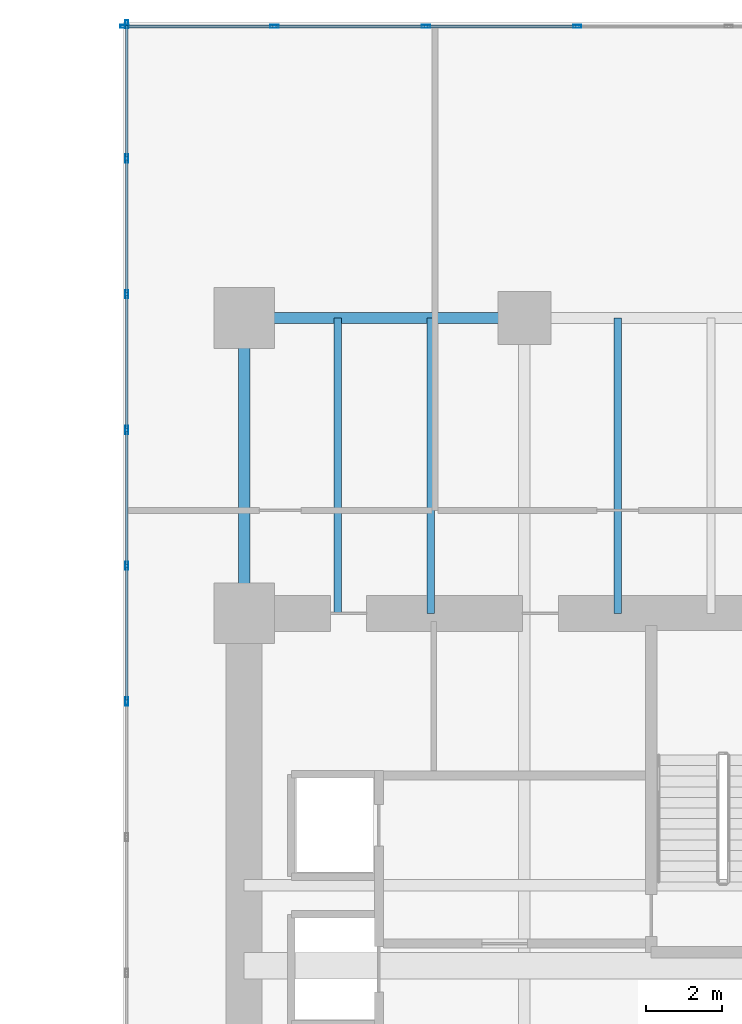
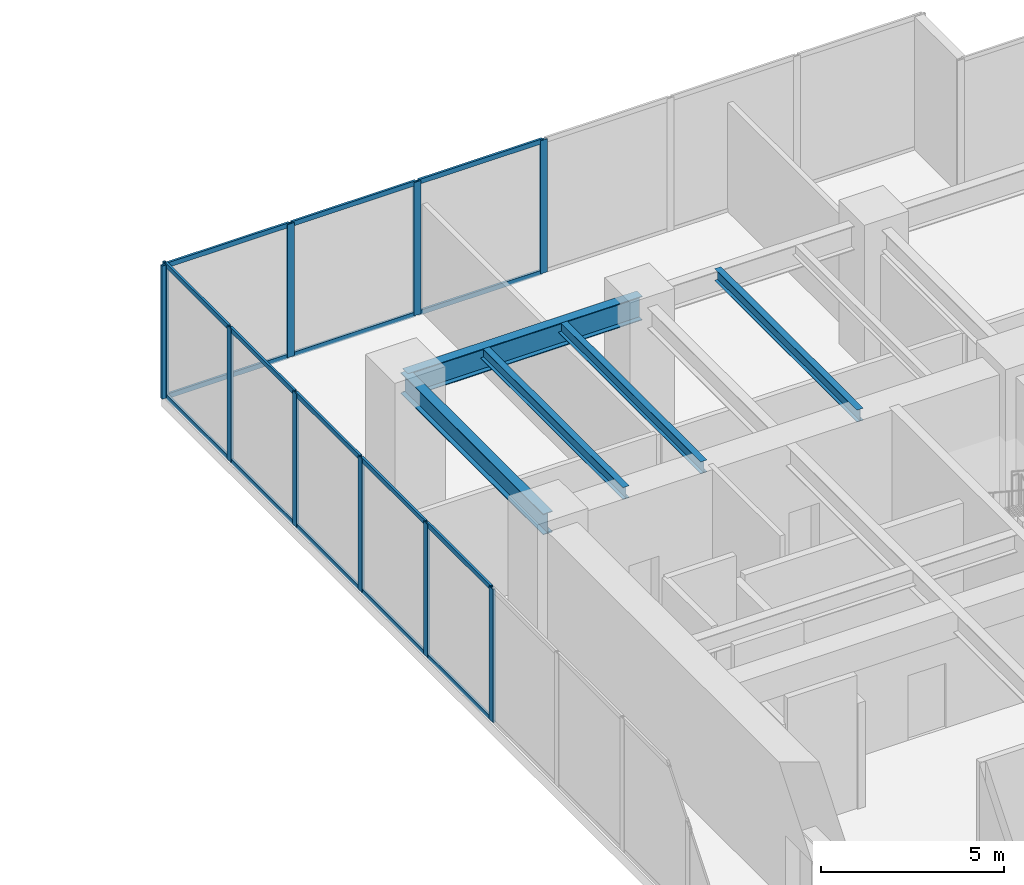
# One storey, part 17 of 32: 26 members, 5 beams, 2 elements without a shape of their own.
"""IFC4 building model written with IfcOpenShell, lengths in metres."""

from ifc_helpers import new_model, si_unit, direction, frame, origin, origin_2d, place, context, subcontext, project, spatial, hollow_rectangle, i_section, extrude, source, transform, mapped, material, layer, layer_set, material_profile, profile_set, type_object, type_shapes, element, aggregate, save


model = new_model("IFC4")

# Units and contexts
model_context = context("Model", 3, precision=1e-05, world=origin(), true_north=direction((0.0, 1.0)))
body_context = subcontext(model_context, "Body", "Model", "MODEL_VIEW")
ifc_project = project(units=[si_unit("LENGTHUNIT", "METRE"), si_unit("AREAUNIT", "SQUARE_METRE"), si_unit("VOLUMEUNIT", "CUBIC_METRE"), si_unit("PLANEANGLEUNIT", "RADIAN"), si_unit("MASSUNIT", "GRAM", prefix="KILO")], contexts=[model_context])

# Site, building, storey
site_placement = place(None, origin())
site = spatial("IfcSite", under=ifc_project, at=site_placement, CompositionType="ELEMENT")
building_placement = place(site_placement, origin())
building = spatial("IfcBuilding", under=site, at=building_placement, Name="Haelvirn Gate Laboratories", CompositionType="ELEMENT")
storey_placement = place(building_placement, frame((0.0, 0.0, 5.39990234375)))
storey = spatial("IfcBuildingStorey", under=building, at=storey_placement, Name="L02", CompositionType="ELEMENT", Elevation=5.39990234375)

# Beams
ifc_material_1 = material(Name="Steel SM420", Category="steel")
ifc_material_profile_1 = material_profile(ifc_material_1, i_section(OverallWidth=0.300048828125, OverallDepth=0.800048828125, WebThickness=0.013916015625, FlangeThickness=0.02587890625, at=origin_2d()), Name="H-800x300x14x26")
ifc_profile_set_1 = profile_set([ifc_material_profile_1], Name="Steel SM420")
beam_type_1 = type_object("IfcBeamType", Name="BM-G-800", PredefinedType="BEAM", material=ifc_profile_set_1)
shared_shape_1 = source(origin(), body_context, "Body", "SweptSolid", [
    extrude(i_section(OverallWidth=0.300048828125, OverallDepth=0.800048828125, WebThickness=0.013916015625, FlangeThickness=0.02587890625, at=origin_2d()), origin(), (0.0, 0.0, 1.0), 7.39990234375),
])
type_shapes(beam_type_1, [shared_shape_1])
beam_1_placement = place(storey_placement, frame((52.60009765625, 41.60009765625, 4.050048828125), z_axis=(1.0, 0.0, 0.0), x_axis=(0.0, 1.0, 0.0)))
element("IfcBeam", 1, at=beam_1_placement, inside=storey, type_object=beam_type_1, Name="L02 Primary Girder Y41.6 (52.6-60.0)", PredefinedType="BEAM", context=body_context, shape_type="MappedRepresentation", body=[
    mapped(shared_shape_1, transform((0.0, 0.0, 0.0), scale=1.0)),
])
ifc_material_2 = material(Name="Steel SM355", Category="steel")
ifc_material_profile_2 = material_profile(ifc_material_2, i_section(OverallWidth=0.199951171875, OverallDepth=0.39990234375, WebThickness=0.008056640625, FlangeThickness=0.012939453125, at=origin_2d()), Name="H-400x200x8x13")
ifc_profile_set_2 = profile_set([ifc_material_profile_2], Name="Steel SM355")
beam_type_2 = type_object("IfcBeamType", Name="BM-J-400", PredefinedType="JOIST", material=ifc_profile_set_2)
shared_shape_2 = source(origin(), body_context, "Body", "SweptSolid", [
    extrude(i_section(OverallWidth=0.199951171875, OverallDepth=0.39990234375, WebThickness=0.008056640625, FlangeThickness=0.012939453125, at=origin_2d()), origin(), (0.0, 0.0, 1.0), 7.800048828125),
])
type_shapes(beam_type_2, [shared_shape_2])
for number, where, z_axis, x_axis, name in (
    (2, (55.070068359375, 33.800048828125, 4.25), (0.0, 1.0, 0.0), (-1.0, 0.0, 0.0), "L02 Composite Lab Joist North X55.07"),
    (3, (57.530029296875, 33.800048828125, 4.25), (0.0, 1.0, 0.0), (-1.0, 0.0, 0.0), "L02 Composite Lab Joist North X57.53"),
    (4, (62.469970703125, 33.800048828125, 4.25), (0.0, 1.0, 0.0), (-1.0, 0.0, 0.0), "L02 Composite Lab Joist North X62.47"),
):
    element("IfcBeam", number, at=place(storey_placement, frame(where, z_axis=z_axis, x_axis=x_axis)), inside=storey, type_object=beam_type_2, Name=name, PredefinedType="JOIST", context=body_context, shape_type="MappedRepresentation", body=[
        mapped(shared_shape_2, transform((0.0, 0.0, 0.0), scale=1.0)),
    ])
ifc_material_profile_3 = material_profile(ifc_material_2, i_section(OverallWidth=0.300048828125, OverallDepth=0.699951171875, WebThickness=0.012939453125, FlangeThickness=0.02392578125, at=origin_2d()), Name="H-700x300x13x24")
ifc_profile_set_3 = profile_set([ifc_material_profile_3], Name="Steel SM355")
beam_type_3 = type_object("IfcBeamType", Name="BM-G-700", PredefinedType="BEAM", material=ifc_profile_set_3)
shared_shape_3 = source(origin(), body_context, "Body", "SweptSolid", [
    extrude(i_section(OverallWidth=0.300048828125, OverallDepth=0.699951171875, WebThickness=0.012939453125, FlangeThickness=0.02392578125, at=origin_2d()), origin(), (0.0, 0.0, 1.0), 7.800048828125),
])
type_shapes(beam_type_3, [shared_shape_3])
beam_2_placement = place(storey_placement, frame((52.60009765625, 33.800048828125, 4.10009765625), z_axis=(0.0, 1.0, 0.0), x_axis=(-1.0, 0.0, 0.0)))
element("IfcBeam", 5, at=beam_2_placement, inside=storey, type_object=beam_type_3, Name="L02 Frame Girder X52.6 (33.8-41.6)", PredefinedType="BEAM", context=body_context, shape_type="MappedRepresentation", body=[
    mapped(shared_shape_3, transform((0.0, 0.0, 0.0), scale=1.0)),
])

# Curtain wall, members
ifc_material_3 = material(Name="Anodised bronze unitised aluminium & triple low-E glass", Category="aluminium")
ifc_layer = layer(ifc_material_3, 0.18798828125, Name="CW-SYS-1")
ifc_layer_set = layer_set([ifc_layer], Name="Anodised bronze unitised aluminium & triple low-E glass")
curtain_wall_type = type_object("IfcCurtainWallType", Name="CW-SYS-1", PredefinedType="NOTDEFINED", material=ifc_layer_set)
curtain_wall_1_placement = place(storey_placement, origin())
curtain_wall_1 = element("IfcCurtainWall", 6, at=curtain_wall_1_placement, inside=storey, type_object=curtain_wall_type, Name="L02 Unitised Curtain Wall CW-L02-P1-E06-1", PredefinedType="NOTDEFINED")
ifc_material_4 = material(Name="Extruded aluminium 6063-T6 (anodised bronze)", Category="aluminium")
ifc_material_profile_4 = material_profile(ifc_material_4, hollow_rectangle(XDim=0.080078125, YDim=0.219970703125, WallThickness=0.006103515625, at=origin_2d()), Name="CWM-220x80x6")
ifc_profile_set_4 = profile_set([ifc_material_profile_4], Name="Extruded aluminium 6063-T6 (anodised bronze)")
member_type_1 = type_object("IfcMemberType", Name="CWM-T220", PredefinedType="MULLION", material=ifc_profile_set_4)
shared_shape_4 = source(origin(), body_context, "Body", "SweptSolid", [
    extrude(hollow_rectangle(XDim=0.080078125, YDim=0.219970703125, WallThickness=0.006103515625, at=origin_2d()), origin(), (0.0, 0.0, 1.0), 4.4501953125),
])
type_shapes(member_type_1, [shared_shape_4])
member_1_placement = place(storey_placement, frame((49.43994140625, 49.300048828125, 0.0), z_axis=(0.0, 0.0, 1.0), x_axis=(0.0, 1.0, 0.0)))
member_1 = element("IfcMember", 7, at=member_1_placement, type_object=member_type_1, Name="CW1 mullion 1", PredefinedType="MULLION", context=body_context, shape_type="MappedRepresentation", body=[
    mapped(shared_shape_4, transform((0.0, 0.0, 0.0), scale=1.0)),
])
member_2_placement = place(storey_placement, frame((53.39990234375, 49.300048828125, 0.0), z_axis=(0.0, 0.0, 1.0), x_axis=(0.0, 1.0, 0.0)))
member_2 = element("IfcMember", 8, at=member_2_placement, type_object=member_type_1, Name="CW1 mullion 2", PredefinedType="MULLION", context=body_context, shape_type="MappedRepresentation", body=[
    mapped(shared_shape_4, transform((0.0, 0.0, 0.0), scale=1.0)),
])
member_3_placement = place(storey_placement, frame((57.39990234375, 49.300048828125, 0.0), z_axis=(0.0, 0.0, 1.0), x_axis=(0.0, 1.0, 0.0)))
member_3 = element("IfcMember", 9, at=member_3_placement, type_object=member_type_1, Name="CW1 mullion 3", PredefinedType="MULLION", context=body_context, shape_type="MappedRepresentation", body=[
    mapped(shared_shape_4, transform((0.0, 0.0, 0.0), scale=1.0)),
])
member_4_placement = place(storey_placement, frame((61.39990234375, 49.300048828125, 0.0), z_axis=(0.0, 0.0, 1.0), x_axis=(0.0, 1.0, 0.0)))
member_4 = element("IfcMember", 10, at=member_4_placement, type_object=member_type_1, Name="CW1 mullion 4", PredefinedType="MULLION", context=body_context, shape_type="MappedRepresentation", body=[
    mapped(shared_shape_4, transform((0.0, 0.0, 0.0), scale=1.0)),
])

curtain_wall_2_placement = place(storey_placement, origin())
curtain_wall_2 = element("IfcCurtainWall", 11, at=curtain_wall_2_placement, inside=storey, type_object=curtain_wall_type, Name="L02 Unitised Curtain Wall CW-L02-P1-E07", PredefinedType="NOTDEFINED")
member_5_placement = place(storey_placement, frame((49.5, 49.360107421875, 0.0), z_axis=(0.0, 0.0, 1.0), x_axis=(1.0, 0.0, 0.0)))
member_5 = element("IfcMember", 12, at=member_5_placement, type_object=member_type_1, Name="CW1 mullion 1", PredefinedType="MULLION", context=body_context, shape_type="MappedRepresentation", body=[
    mapped(shared_shape_4, transform((0.0, 0.0, 0.0), scale=1.0)),
])
member_6_placement = place(storey_placement, frame((49.5, 45.814208984375, 0.0), z_axis=(0.0, 0.0, 1.0), x_axis=(1.0, 0.0, 0.0)))
member_6 = element("IfcMember", 13, at=member_6_placement, type_object=member_type_1, Name="CW1 mullion 2", PredefinedType="MULLION", context=body_context, shape_type="MappedRepresentation", body=[
    mapped(shared_shape_4, transform((0.0, 0.0, 0.0), scale=1.0)),
])
member_7_placement = place(storey_placement, frame((49.5, 42.228515625, 0.0), z_axis=(0.0, 0.0, 1.0), x_axis=(1.0, 0.0, 0.0)))
member_7 = element("IfcMember", 14, at=member_7_placement, type_object=member_type_1, Name="CW1 mullion 3", PredefinedType="MULLION", context=body_context, shape_type="MappedRepresentation", body=[
    mapped(shared_shape_4, transform((0.0, 0.0, 0.0), scale=1.0)),
])
member_8_placement = place(storey_placement, frame((49.5, 38.642822265625, 0.0), z_axis=(0.0, 0.0, 1.0), x_axis=(1.0, 0.0, 0.0)))
member_8 = element("IfcMember", 15, at=member_8_placement, type_object=member_type_1, Name="CW1 mullion 4", PredefinedType="MULLION", context=body_context, shape_type="MappedRepresentation", body=[
    mapped(shared_shape_4, transform((0.0, 0.0, 0.0), scale=1.0)),
])
member_9_placement = place(storey_placement, frame((49.5, 35.05712890625, 0.0), z_axis=(0.0, 0.0, 1.0), x_axis=(1.0, 0.0, 0.0)))
member_9 = element("IfcMember", 16, at=member_9_placement, type_object=member_type_1, Name="CW1 mullion 5", PredefinedType="MULLION", context=body_context, shape_type="MappedRepresentation", body=[
    mapped(shared_shape_4, transform((0.0, 0.0, 0.0), scale=1.0)),
])
member_10_placement = place(storey_placement, frame((49.5, 31.471435546875, 0.0), z_axis=(0.0, 0.0, 1.0), x_axis=(1.0, 0.0, 0.0)))
member_10 = element("IfcMember", 17, at=member_10_placement, type_object=member_type_1, Name="CW1 mullion 6", PredefinedType="MULLION", context=body_context, shape_type="MappedRepresentation", body=[
    mapped(shared_shape_4, transform((0.0, 0.0, 0.0), scale=1.0)),
])
ifc_material_profile_5 = material_profile(ifc_material_4, hollow_rectangle(XDim=0.070068359375, YDim=0.159912109375, WallThickness=0.0048828125, at=origin_2d()), Name="CWT-160x70x5")
ifc_profile_set_5 = profile_set([ifc_material_profile_5], Name="Extruded aluminium 6063-T6 (anodised bronze)")
member_type_2 = type_object("IfcMemberType", Name="CWT-T160", PredefinedType="USERDEFINED", material=ifc_profile_set_5)
shared_shape_5 = source(origin(), body_context, "Body", "SweptSolid", [
    extrude(hollow_rectangle(XDim=0.070068359375, YDim=0.159912109375, WallThickness=0.0048828125, at=origin_2d()), origin(), (0.0, 0.0, 1.0), 3.505615234375),
])
member_11_placement = place(storey_placement, frame((49.5, 45.774169921875, 0.03515625), z_axis=(0.0, -1.0, 0.0), x_axis=(1.0, 0.0, 0.0)))
member_11 = element("IfcMember", 18, at=member_11_placement, type_object=member_type_2, Name="CW1 transom 2.1", ObjectType="TRANSOM", PredefinedType="USERDEFINED", context=body_context, shape_type="MappedRepresentation", body=[
    mapped(shared_shape_5, transform((0.0, 0.0, 0.0), scale=1.0)),
])
member_12_placement = place(storey_placement, frame((49.5, 45.774169921875, 4.4150390625), z_axis=(0.0, -1.0, 0.0), x_axis=(1.0, 0.0, 0.0)))
member_12 = element("IfcMember", 19, at=member_12_placement, type_object=member_type_2, Name="CW1 transom 2.2", ObjectType="TRANSOM", PredefinedType="USERDEFINED", context=body_context, shape_type="MappedRepresentation", body=[
    mapped(shared_shape_5, transform((0.0, 0.0, 0.0), scale=1.0)),
])
member_13_placement = place(storey_placement, frame((49.5, 42.1884765625, 0.03515625), z_axis=(0.0, -1.0, 0.0), x_axis=(1.0, 0.0, 0.0)))
member_13 = element("IfcMember", 20, at=member_13_placement, type_object=member_type_2, Name="CW1 transom 3.1", ObjectType="TRANSOM", PredefinedType="USERDEFINED", context=body_context, shape_type="MappedRepresentation", body=[
    mapped(shared_shape_5, transform((0.0, 0.0, 0.0), scale=1.0)),
])
member_14_placement = place(storey_placement, frame((49.5, 42.1884765625, 4.4150390625), z_axis=(0.0, -1.0, 0.0), x_axis=(1.0, 0.0, 0.0)))
member_14 = element("IfcMember", 21, at=member_14_placement, type_object=member_type_2, Name="CW1 transom 3.2", ObjectType="TRANSOM", PredefinedType="USERDEFINED", context=body_context, shape_type="MappedRepresentation", body=[
    mapped(shared_shape_5, transform((0.0, 0.0, 0.0), scale=1.0)),
])
member_15_placement = place(storey_placement, frame((49.5, 38.602783203125, 0.03515625), z_axis=(0.0, -1.0, 0.0), x_axis=(1.0, 0.0, 0.0)))
member_15 = element("IfcMember", 22, at=member_15_placement, type_object=member_type_2, Name="CW1 transom 4.1", ObjectType="TRANSOM", PredefinedType="USERDEFINED", context=body_context, shape_type="MappedRepresentation", body=[
    mapped(shared_shape_5, transform((0.0, 0.0, 0.0), scale=1.0)),
])
member_16_placement = place(storey_placement, frame((49.5, 38.602783203125, 4.4150390625), z_axis=(0.0, -1.0, 0.0), x_axis=(1.0, 0.0, 0.0)))
member_16 = element("IfcMember", 23, at=member_16_placement, type_object=member_type_2, Name="CW1 transom 4.2", ObjectType="TRANSOM", PredefinedType="USERDEFINED", context=body_context, shape_type="MappedRepresentation", body=[
    mapped(shared_shape_5, transform((0.0, 0.0, 0.0), scale=1.0)),
])
member_17_placement = place(storey_placement, frame((49.5, 35.01708984375, 0.03515625), z_axis=(0.0, -1.0, 0.0), x_axis=(1.0, 0.0, 0.0)))
member_17 = element("IfcMember", 24, at=member_17_placement, type_object=member_type_2, Name="CW1 transom 5.1", ObjectType="TRANSOM", PredefinedType="USERDEFINED", context=body_context, shape_type="MappedRepresentation", body=[
    mapped(shared_shape_5, transform((0.0, 0.0, 0.0), scale=1.0)),
])
member_18_placement = place(storey_placement, frame((49.5, 35.01708984375, 4.4150390625), z_axis=(0.0, -1.0, 0.0), x_axis=(1.0, 0.0, 0.0)))
member_18 = element("IfcMember", 25, at=member_18_placement, type_object=member_type_2, Name="CW1 transom 5.2", ObjectType="TRANSOM", PredefinedType="USERDEFINED", context=body_context, shape_type="MappedRepresentation", body=[
    mapped(shared_shape_5, transform((0.0, 0.0, 0.0), scale=1.0)),
])
shared_shape_6 = source(origin(), body_context, "Body", "SweptSolid", [
    extrude(hollow_rectangle(XDim=0.070068359375, YDim=0.159912109375, WallThickness=0.0048828125, at=origin_2d()), origin(), (0.0, 0.0, 1.0), 3.4658203125),
])
member_19_placement = place(storey_placement, frame((49.5, 49.320068359375, 0.03515625), z_axis=(0.0, -1.0, 0.0), x_axis=(1.0, 0.0, 0.0)))
member_19 = element("IfcMember", 26, at=member_19_placement, type_object=member_type_2, Name="CW1 transom 1.1", ObjectType="TRANSOM", PredefinedType="USERDEFINED", context=body_context, shape_type="MappedRepresentation", body=[
    mapped(shared_shape_6, transform((0.0, 0.0, 0.0), scale=1.0)),
])
member_20_placement = place(storey_placement, frame((49.5, 49.320068359375, 4.4150390625), z_axis=(0.0, -1.0, 0.0), x_axis=(1.0, 0.0, 0.0)))
member_20 = element("IfcMember", 27, at=member_20_placement, type_object=member_type_2, Name="CW1 transom 1.2", ObjectType="TRANSOM", PredefinedType="USERDEFINED", context=body_context, shape_type="MappedRepresentation", body=[
    mapped(shared_shape_6, transform((0.0, 0.0, 0.0), scale=1.0)),
])
aggregate(curtain_wall_2, [member_5, member_6, member_7, member_8, member_9, member_10, member_19, member_20, member_11, member_12, member_13, member_14, member_15, member_16, member_17, member_18])

# Member
shared_shape_7 = source(origin(), body_context, "Body", "SweptSolid", [
    extrude(hollow_rectangle(XDim=0.070068359375, YDim=0.159912109375, WallThickness=0.0048828125, at=origin_2d()), origin(), (0.0, 0.0, 1.0), 3.880126953125),
])
member_21_placement = place(storey_placement, frame((49.47998046875, 49.300048828125, 0.03515625), z_axis=(1.0, 0.0, 0.0), x_axis=(0.0, 1.0, 0.0)))
member_21 = element("IfcMember", 28, at=member_21_placement, type_object=member_type_2, Name="CW1 transom 1.1", ObjectType="TRANSOM", PredefinedType="USERDEFINED", context=body_context, shape_type="MappedRepresentation", body=[
    mapped(shared_shape_7, transform((0.0, 0.0, 0.0), scale=1.0)),
])

member_22_placement = place(storey_placement, frame((49.47998046875, 49.300048828125, 4.4150390625), z_axis=(1.0, 0.0, 0.0), x_axis=(0.0, 1.0, 0.0)))
member_22 = element("IfcMember", 29, at=member_22_placement, type_object=member_type_2, Name="CW1 transom 1.2", ObjectType="TRANSOM", PredefinedType="USERDEFINED", context=body_context, shape_type="MappedRepresentation", body=[
    mapped(shared_shape_7, transform((0.0, 0.0, 0.0), scale=1.0)),
])

shared_shape_8 = source(origin(), body_context, "Body", "SweptSolid", [
    extrude(hollow_rectangle(XDim=0.070068359375, YDim=0.159912109375, WallThickness=0.0048828125, at=origin_2d()), origin(), (0.0, 0.0, 1.0), 3.920166015625),
])
type_shapes(member_type_2, [shared_shape_5, shared_shape_6, shared_shape_7, shared_shape_8])
member_23_placement = place(storey_placement, frame((53.43994140625, 49.300048828125, 0.03515625), z_axis=(1.0, 0.0, 0.0), x_axis=(0.0, 1.0, 0.0)))
member_23 = element("IfcMember", 30, at=member_23_placement, type_object=member_type_2, Name="CW1 transom 2.1", ObjectType="TRANSOM", PredefinedType="USERDEFINED", context=body_context, shape_type="MappedRepresentation", body=[
    mapped(shared_shape_8, transform((0.0, 0.0, 0.0), scale=1.0)),
])

member_24_placement = place(storey_placement, frame((53.43994140625, 49.300048828125, 4.4150390625), z_axis=(1.0, 0.0, 0.0), x_axis=(0.0, 1.0, 0.0)))
member_24 = element("IfcMember", 31, at=member_24_placement, type_object=member_type_2, Name="CW1 transom 2.2", ObjectType="TRANSOM", PredefinedType="USERDEFINED", context=body_context, shape_type="MappedRepresentation", body=[
    mapped(shared_shape_8, transform((0.0, 0.0, 0.0), scale=1.0)),
])

member_25_placement = place(storey_placement, frame((57.43994140625, 49.300048828125, 0.03515625), z_axis=(1.0, 0.0, 0.0), x_axis=(0.0, 1.0, 0.0)))
member_25 = element("IfcMember", 32, at=member_25_placement, type_object=member_type_2, Name="CW1 transom 3.1", ObjectType="TRANSOM", PredefinedType="USERDEFINED", context=body_context, shape_type="MappedRepresentation", body=[
    mapped(shared_shape_8, transform((0.0, 0.0, 0.0), scale=1.0)),
])

member_26_placement = place(storey_placement, frame((57.43994140625, 49.300048828125, 4.4150390625), z_axis=(1.0, 0.0, 0.0), x_axis=(0.0, 1.0, 0.0)))
member_26 = element("IfcMember", 33, at=member_26_placement, type_object=member_type_2, Name="CW1 transom 3.2", ObjectType="TRANSOM", PredefinedType="USERDEFINED", context=body_context, shape_type="MappedRepresentation", body=[
    mapped(shared_shape_8, transform((0.0, 0.0, 0.0), scale=1.0)),
])

aggregate(curtain_wall_1, [member_1, member_2, member_3, member_4, member_21, member_22, member_23, member_24, member_25, member_26])

save(model, "model.ifc")
